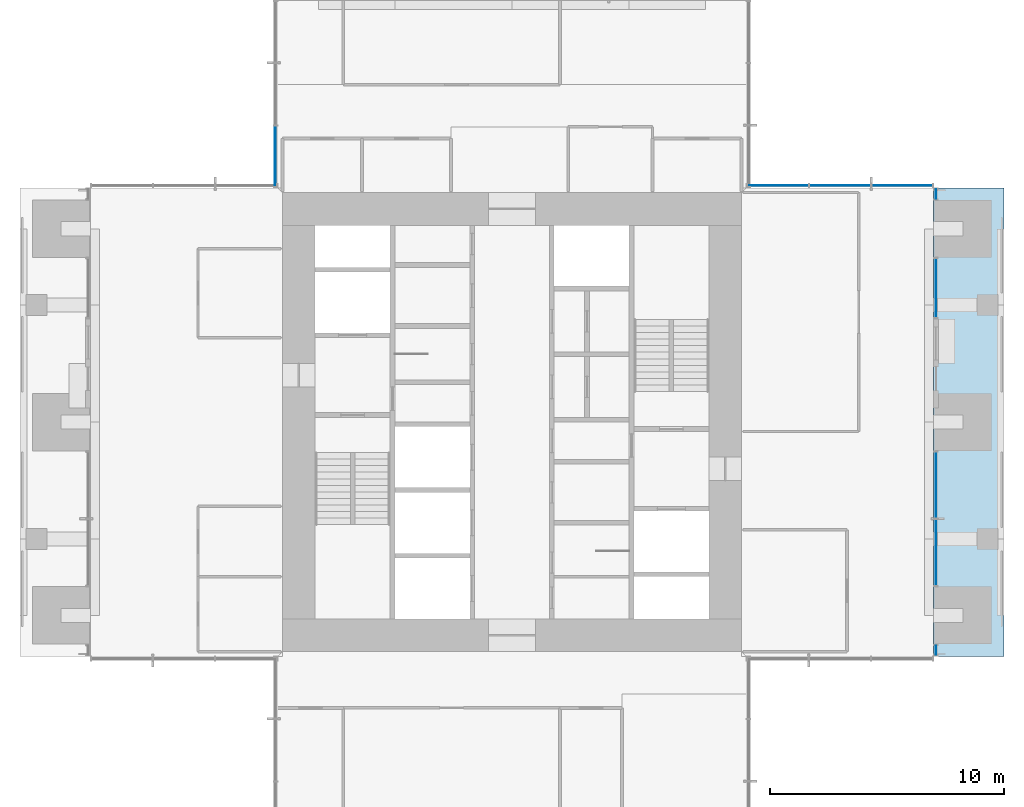
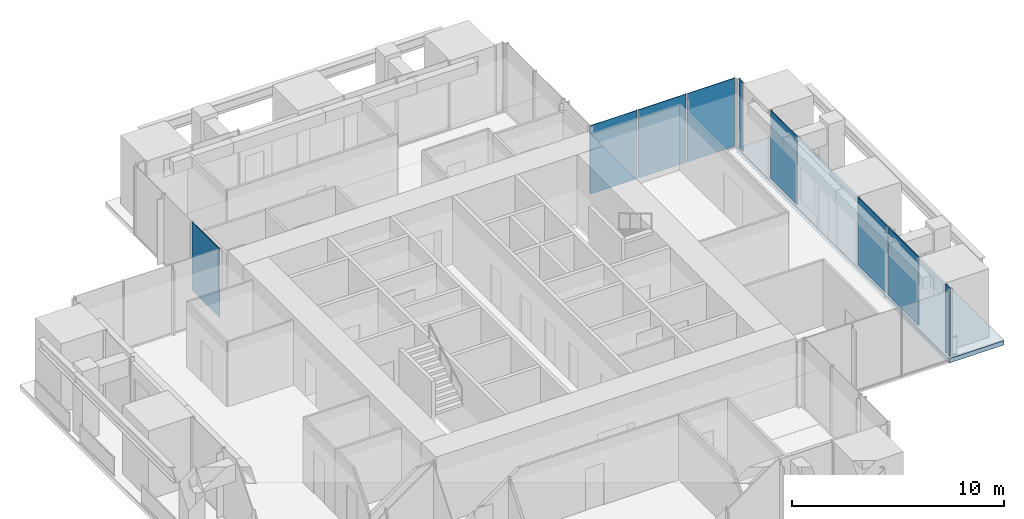
# One storey, part 10 of 17: 9 plates, 1 slab, 6 elements without a shape of their own.
"""IFC4 building model written with IfcOpenShell, lengths in metres."""

import ifcopenshell
import ifcopenshell.guid

model = None  # the IFC model being written
_history = None  # IfcOwnerHistory: only IFC2X3 demands one
_inside = {}  # id of a spatial element -> (the spatial element, [elements in it])
_under = {}  # id of a project, library or spatial element -> (it, [spatial elements below it])
_declared = {}  # id of a project -> (the project, [libraries it declares])
_typed = {}  # id of a type object -> (the type object, [elements of that type])
_made_of = {}  # id of a material, layer set ... -> (it, [elements and type objects made of it])


def new_model(schema):
    """Start an empty IFC model of exactly this schema.

    Asked for "IFC4X3", IfcOpenShell would pick the latest addendum, in which some entities
    have other attributes; the version numbers below select the first issue.
    IFC2X3 requires an IfcOwnerHistory on every rooted entity: one is made here for all.
    """
    global model, _history
    if schema == "IFC4X3":
        model = ifcopenshell.file(schema_version=(4, 3, 0, 0))
    else:
        model = ifcopenshell.file(schema=schema)
    _inside.clear()
    _under.clear()
    _declared.clear()
    _typed.clear()
    _made_of.clear()
    _history = None
    if model.schema == "IFC2X3":
        org = make("IfcOrganization", Name="unknown")
        user = make(
            "IfcPersonAndOrganization",
            ThePerson=make("IfcPerson", FamilyName="unknown"),
            TheOrganization=org,
        )
        app = make(
            "IfcApplication",
            ApplicationDeveloper=org,
            Version="unknown",
            ApplicationFullName="unknown",
            ApplicationIdentifier="unknown",
        )
        _history = make(
            "IfcOwnerHistory",
            OwningUser=user,
            OwningApplication=app,
            ChangeAction="ADDED",
            CreationDate=0,
        )
    return model


def make(cls, **values):
    """One entity of the class cls with the attributes given. An attribute that is None is left unset."""
    return model.create_entity(
        cls, **{name: value for name, value in values.items() if value is not None}
    )


def rooted(cls, **values):
    """An entity with a GlobalId (a new one), such as an element, a storey or a relation."""
    return make(cls, GlobalId=ifcopenshell.guid.new(), OwnerHistory=_history, **values)


def si_unit(unit_type, name, prefix=None):
    """IfcSIUnit, for example si_unit("LENGTHUNIT", "METRE", prefix="MILLI")."""
    return make("IfcSIUnit", UnitType=unit_type, Prefix=prefix, Name=name)


def assignment(units):
    """IfcUnitAssignment: the units of a project."""
    return None if units is None else make("IfcUnitAssignment", Units=units)


def point(xyz):
    """IfcCartesianPoint."""
    return None if xyz is None else make("IfcCartesianPoint", Coordinates=xyz)


def direction(xyz):
    """IfcDirection."""
    return None if xyz is None else make("IfcDirection", DirectionRatios=xyz)


def frame(location, z_axis=None, x_axis=None):
    """IfcAxis2Placement3D, a coordinate frame: its origin and axes. An axis left out is left unset."""
    return make(
        "IfcAxis2Placement3D",
        Location=point(location),
        Axis=direction(z_axis),
        RefDirection=direction(x_axis),
    )


def frame_2d(location, x_axis=None):
    """IfcAxis2Placement2D, a coordinate frame in the plane: its origin and x axis."""
    return make(
        "IfcAxis2Placement2D", Location=point(location), RefDirection=direction(x_axis)
    )


def origin():
    """The frame at (0, 0, 0) with its axes left unset."""
    return frame((0.0, 0.0, 0.0))


def origin_2d():
    """The frame at (0, 0) in the plane with its x axis left unset."""
    return frame_2d((0.0, 0.0))


def place(relative_to, where):
    """IfcLocalPlacement: puts the frame where relative to a parent placement (None: the world)."""
    return make(
        "IfcLocalPlacement", PlacementRelTo=relative_to, RelativePlacement=where
    )


def context(
    kind, dimensions, precision=None, world=None, true_north=None, identifier=None
):
    """IfcGeometricRepresentationContext, for example the 3D "Model" context."""
    return make(
        "IfcGeometricRepresentationContext",
        ContextIdentifier=identifier,
        ContextType=kind,
        CoordinateSpaceDimension=dimensions,
        Precision=precision,
        WorldCoordinateSystem=world,
        TrueNorth=true_north,
    )


def subcontext(parent, identifier, kind, view, scale=None):
    """IfcGeometricRepresentationSubContext, for example "Body" below "Model"."""
    return make(
        "IfcGeometricRepresentationSubContext",
        ContextIdentifier=identifier,
        ContextType=kind,
        ParentContext=parent,
        TargetScale=scale,
        TargetView=view,
    )


def project(units=None, contexts=None):
    """IfcProject with its units and contexts."""
    return rooted(
        "IfcProject",
        Name="project",
        RepresentationContexts=contexts,
        UnitsInContext=assignment(units),
    )


def spatial(cls, under=None, at=None, **own):
    """A site, building, storey or space (cls), placed at a placement, below another one or the project."""
    s = rooted(cls, ObjectPlacement=at, **own)
    if under is not None:
        _under.setdefault(under.id(), (under, []))[1].append(s)
    return s


def polyline(points):
    """IfcPolyline through the points."""
    return make("IfcPolyline", Points=[point(p) for p in points])


def profile(cls, at=None, kind="AREA", **sizes):
    """A parametric profile (cls). Its sizes go by their IFC names, for example OverallWidth=200.0."""
    return make(cls, ProfileType=kind, Position=at, **sizes)


def rectangle(**sizes):
    """IfcRectangleProfileDef."""
    return profile("IfcRectangleProfileDef", **sizes)


def outline(outer, holes=None, kind="AREA"):
    """IfcArbitraryClosedProfileDef: a profile drawn as a closed curve; with holes, ...WithVoids."""
    if holes is None:
        return make("IfcArbitraryClosedProfileDef", ProfileType=kind, OuterCurve=outer)
    return make(
        "IfcArbitraryProfileDefWithVoids",
        ProfileType=kind,
        OuterCurve=outer,
        InnerCurves=holes,
    )


def extrude(swept, where, along, depth):
    """IfcExtrudedAreaSolid: the profile swept, set in the frame where, extruded along a direction by depth."""
    return make(
        "IfcExtrudedAreaSolid",
        SweptArea=swept,
        Position=where,
        ExtrudedDirection=direction(along),
        Depth=depth,
    )


def shape(context_of_items, identifier, shape_type, items):
    """IfcShapeRepresentation: the items that make up one representation, for example the "Body"."""
    return make(
        "IfcShapeRepresentation",
        ContextOfItems=context_of_items,
        RepresentationIdentifier=identifier,
        RepresentationType=shape_type,
        Items=items,
    )


def material(Name=None, Category=None):
    """IfcMaterial."""
    return make("IfcMaterial", Name=Name, Category=Category)


def layer(
    of_material, thickness, ventilated=None, Name=None, Category=None, Priority=None
):
    """IfcMaterialLayer: one layer of a wall or slab, of a material (None: an air gap)."""
    return make(
        "IfcMaterialLayer",
        Material=of_material,
        LayerThickness=thickness,
        IsVentilated=ventilated,
        Name=Name,
        Category=Category,
        Priority=Priority,
    )


def layer_set(layers, Name=None):
    """IfcMaterialLayerSet."""
    return make("IfcMaterialLayerSet", MaterialLayers=layers, LayerSetName=Name)


def made_of(thing, what):
    """Note that an element or type object is made of a material, layer set ...; save() writes the relation."""
    if what is not None:
        _made_of.setdefault(what.id(), (what, []))[1].append(thing)
    return thing


def type_object(cls, material=None, **own):
    """A type object (cls), such as IfcWallType, which elements share."""
    return made_of(rooted(cls, **own), material)


def element(
    cls,
    number,
    at=None,
    inside=None,
    cuts=None,
    type_object=None,
    material=None,
    context=None,
    identifier="Body",
    shape_type=None,
    held_by="IfcProductDefinitionShape",
    body=None,
    shapes=None,
    **own,
):
    """One element of the class cls, such as IfcWall. Its Tag is "e" and its number.

    at: its placement. inside: the storey or other place that contains it. cuts: it is an
    opening in that element (IfcRelVoidsElement). A single representation is given by context,
    identifier, shape_type and body (its items); several are given by shapes. held_by: the class
    of the entity that holds the representations. save() writes the other relations.
    """
    e = rooted(cls, Tag="e%d" % number, ObjectPlacement=at, **own)
    if body is not None:
        shapes = [shape(context, identifier, shape_type, body)]
    if shapes is not None:
        e.Representation = make(held_by, Representations=shapes)
    if inside is not None:
        _inside.setdefault(inside.id(), (inside, []))[1].append(e)
    if cuts is not None:
        rooted(
            "IfcRelVoidsElement", RelatingBuildingElement=cuts, RelatedOpeningElement=e
        )
    if type_object is not None:
        _typed.setdefault(type_object.id(), (type_object, []))[1].append(e)
    return made_of(e, material)


def aggregate(whole, parts):
    """IfcRelAggregates: a whole, such as a stair, and the parts it consists of."""
    return rooted("IfcRelAggregates", RelatingObject=whole, RelatedObjects=parts)


def save(model, path):
    """Write the relations noted so far, then the file.

    IfcRelAggregates (storeys below a building ...), IfcRelContainedInSpatialStructure (elements
    in a storey), IfcRelDefinesByType, IfcRelAssociatesMaterial and IfcRelDeclares: one each for
    every whole, place, type object, material and project.
    """
    for whole, parts in _under.values():
        aggregate(whole, parts)
    for where, things in _inside.values():
        rooted(
            "IfcRelContainedInSpatialStructure",
            RelatedElements=things,
            RelatingStructure=where,
        )
    for kind, things in _typed.values():
        rooted("IfcRelDefinesByType", RelatedObjects=things, RelatingType=kind)
    for what, things in _made_of.values():
        rooted("IfcRelAssociatesMaterial", RelatedObjects=things, RelatingMaterial=what)
    for by, libraries in _declared.values():
        rooted("IfcRelDeclares", RelatingContext=by, RelatedDefinitions=libraries)
    model.write(path)


model = new_model("IFC4")

# Units and contexts
model_context = context("Model", 3, precision=1e-05, world=origin(), true_north=direction((0.0, 1.0)))
body_context = subcontext(model_context, "Body", "Model", "MODEL_VIEW")
ifc_project = project(units=[si_unit("LENGTHUNIT", "METRE"), si_unit("AREAUNIT", "SQUARE_METRE"), si_unit("VOLUMEUNIT", "CUBIC_METRE"), si_unit("PLANEANGLEUNIT", "RADIAN"), si_unit("MASSUNIT", "GRAM", prefix="KILO")], contexts=[model_context])

# Site, building, storey
site_placement = place(None, origin())
site = spatial("IfcSite", under=ifc_project, at=site_placement, CompositionType="ELEMENT")
building_placement = place(site_placement, origin())
building = spatial("IfcBuilding", under=site, at=building_placement, Name="Svetlomir Tower", CompositionType="ELEMENT")
storey_placement = place(building_placement, frame((0.0, 0.0, 222.5)))
storey = spatial("IfcBuildingStorey", under=building, at=storey_placement, Name="L53", CompositionType="ELEMENT", Elevation=222.5)

# Curtain wall, plate
ifc_material_1 = material(Name="Bronze anodised aluminium curtain wall", Category="aluminium")
curtain_wall_type = type_object("IfcCurtainWallType", Name="CURTAIN WALL CW1 TOWER OFFICE", PredefinedType="NOTDEFINED", material=ifc_material_1)
curtain_wall_1_placement = place(storey_placement, origin())
curtain_wall_1 = element("IfcCurtainWall", 1, at=curtain_wall_1_placement, inside=storey, type_object=curtain_wall_type, Name="Curtain wall CW1 L53", PredefinedType="NOTDEFINED")
ifc_material_2 = material(Name="Tinted double glazed unit", Category="glass")
ifc_layer_1 = layer(ifc_material_2, 0.031982421875)
ifc_layer_set_1 = layer_set([ifc_layer_1], Name="Tinted double glazed unit")
plate_type = type_object("IfcPlateType", Name="CW1 GLAZED PANEL 32", PredefinedType="CURTAIN_PANEL", material=ifc_layer_set_1)
plate_1_placement = place(storey_placement, frame((39.10009765625, 11.262451171875, 0.06494140625), z_axis=(0.0, 0.0, 1.0), x_axis=(0.0, 1.0, 0.0)))
plate_1 = element("IfcPlate", 2, at=plate_1_placement, type_object=plate_type, Name="CW1 panel 1.1", PredefinedType="CURTAIN_PANEL", context=body_context, shape_type="SweptSolid", body=[
    extrude(rectangle(XDim=0.39501953125, YDim=0.031982421875, at=origin_2d()), origin(), (0.0, 0.0, 1.0), 3.93505859375),
])
aggregate(curtain_wall_1, [plate_1])

# Curtain wall, plates
curtain_wall_2_placement = place(storey_placement, origin())
curtain_wall_2 = element("IfcCurtainWall", 3, at=curtain_wall_2_placement, inside=storey, type_object=curtain_wall_type, Name="Curtain wall CW1 L53", PredefinedType="NOTDEFINED")
plate_2_placement = place(storey_placement, frame((39.10009765625, 15.441162109375, 0.06494140625), z_axis=(0.0, 0.0, 1.0), x_axis=(0.0, 1.0, 0.0)))
plate_2 = element("IfcPlate", 4, at=plate_2_placement, type_object=plate_type, Name="CW1 panel 1.1", PredefinedType="CURTAIN_PANEL", context=body_context, shape_type="SweptSolid", body=[
    extrude(rectangle(XDim=2.802490234375, YDim=0.031982421875, at=origin_2d()), origin(), (0.0, 0.0, 1.0), 3.93505859375),
])
plate_3_placement = place(storey_placement, frame((39.10009765625, 18.308837890625, 0.06494140625), z_axis=(0.0, 0.0, 1.0), x_axis=(0.0, 1.0, 0.0)))
plate_3 = element("IfcPlate", 5, at=plate_3_placement, type_object=plate_type, Name="CW1 panel 2.1", PredefinedType="CURTAIN_PANEL", context=body_context, shape_type="SweptSolid", body=[
    extrude(rectangle(XDim=2.802490234375, YDim=0.031982421875, at=origin_2d()), origin(), (0.0, 0.0, 1.0), 3.93505859375),
])
aggregate(curtain_wall_2, [plate_2, plate_3])

# Curtain wall, plate
curtain_wall_3_placement = place(storey_placement, origin())
curtain_wall_3 = element("IfcCurtainWall", 6, at=curtain_wall_3_placement, inside=storey, type_object=curtain_wall_type, Name="Curtain wall CW1 L53", PredefinedType="NOTDEFINED")
plate_4_placement = place(storey_placement, frame((39.10009765625, 26.71240234375, 0.06494140625), z_axis=(0.0, 0.0, 1.0), x_axis=(0.0, 1.0, 0.0)))
plate_4 = element("IfcPlate", 7, at=plate_4_placement, type_object=plate_type, Name="CW1 panel 1.1", PredefinedType="CURTAIN_PANEL", context=body_context, shape_type="SweptSolid", body=[
    extrude(rectangle(XDim=2.4951171875, YDim=0.031982421875, at=origin_2d()), origin(), (0.0, 0.0, 1.0), 3.93505859375),
])
aggregate(curtain_wall_3, [plate_4])

curtain_wall_4_placement = place(storey_placement, origin())
curtain_wall_4 = element("IfcCurtainWall", 8, at=curtain_wall_4_placement, inside=storey, type_object=curtain_wall_type, Name="Curtain wall CW1 L53", PredefinedType="NOTDEFINED")
plate_5_placement = place(storey_placement, frame((39.10009765625, 30.737548828125, 0.06494140625), z_axis=(0.0, 0.0, 1.0), x_axis=(0.0, 1.0, 0.0)))
plate_5 = element("IfcPlate", 9, at=plate_5_placement, type_object=plate_type, Name="CW1 panel 1.1", PredefinedType="CURTAIN_PANEL", context=body_context, shape_type="SweptSolid", body=[
    extrude(rectangle(XDim=0.39501953125, YDim=0.031982421875, at=origin_2d()), origin(), (0.0, 0.0, 1.0), 3.93505859375),
])
aggregate(curtain_wall_4, [plate_5])

# Curtain wall, plates
curtain_wall_5_placement = place(storey_placement, origin())
curtain_wall_5 = element("IfcCurtainWall", 10, at=curtain_wall_5_placement, inside=storey, type_object=curtain_wall_type, Name="Curtain wall CW1 L53", PredefinedType="NOTDEFINED")
plate_6_placement = place(storey_placement, frame((37.650390625, 31.10009765625, 0.06494140625), z_axis=(0.0, 0.0, 1.0), x_axis=(-1.0, 0.0, 0.0)))
plate_6 = element("IfcPlate", 11, at=plate_6_placement, type_object=plate_type, Name="CW1 panel 1.1", PredefinedType="CURTAIN_PANEL", context=body_context, shape_type="SweptSolid", body=[
    extrude(rectangle(XDim=2.569091796875, YDim=0.031982421875, at=origin_2d()), origin(), (0.0, 0.0, 1.0), 3.93505859375),
])
plate_7_placement = place(storey_placement, frame((35.0, 31.10009765625, 0.06494140625), z_axis=(0.0, 0.0, 1.0), x_axis=(-1.0, 0.0, 0.0)))
plate_7 = element("IfcPlate", 12, at=plate_7_placement, type_object=plate_type, Name="CW1 panel 2.1", PredefinedType="CURTAIN_PANEL", context=body_context, shape_type="SweptSolid", body=[
    extrude(rectangle(XDim=2.6015625, YDim=0.031982421875, at=origin_2d()), origin(), (0.0, 0.0, 1.0), 3.93505859375),
])
plate_8_placement = place(storey_placement, frame((32.349609375, 31.10009765625, 0.06494140625), z_axis=(0.0, 0.0, 1.0), x_axis=(-1.0, 0.0, 0.0)))
plate_8 = element("IfcPlate", 13, at=plate_8_placement, type_object=plate_type, Name="CW1 panel 3.1", PredefinedType="CURTAIN_PANEL", context=body_context, shape_type="SweptSolid", body=[
    extrude(rectangle(XDim=2.569091796875, YDim=0.031982421875, at=origin_2d()), origin(), (0.0, 0.0, 1.0), 3.93505859375),
])
aggregate(curtain_wall_5, [plate_6, plate_7, plate_8])

# Curtain wall, plate
curtain_wall_6_placement = place(storey_placement, origin())
curtain_wall_6 = element("IfcCurtainWall", 14, at=curtain_wall_6_placement, inside=storey, type_object=curtain_wall_type, Name="Curtain wall CW1 L53", PredefinedType="NOTDEFINED")
plate_9_placement = place(storey_placement, frame((10.89990234375, 32.349609375, 0.06494140625), z_axis=(0.0, 0.0, 1.0), x_axis=(0.0, -1.0, 0.0)))
plate_9 = element("IfcPlate", 15, at=plate_9_placement, type_object=plate_type, Name="CW1 panel 3.1", PredefinedType="CURTAIN_PANEL", context=body_context, shape_type="SweptSolid", body=[
    extrude(rectangle(XDim=2.569091796875, YDim=0.031982421875, at=origin_2d()), origin(), (0.0, 0.0, 1.0), 3.93505859375),
])
aggregate(curtain_wall_6, [plate_9])

# Slab
ifc_material_3 = material(Name="Concrete C60/75", Category="concrete")
ifc_layer_2 = layer(ifc_material_3, 0.25)
ifc_layer_set_2 = layer_set([ifc_layer_2], Name="Concrete C60/75")
slab_type = type_object("IfcSlabType", Name="PLANTED LOGGIA SLAB 250", PredefinedType="FLOOR", material=ifc_layer_set_2)
slab_placement = place(storey_placement, frame((0.0, 0.0, -0.25)))
element("IfcSlab", 16, at=slab_placement, inside=storey, type_object=slab_type, Name="L53 E planted loggia", PredefinedType="FLOOR", context=body_context, shape_type="SweptSolid", body=[
    extrude(outline(polyline([(39.0, 11.0), (42.0, 11.0), (42.0, 31.0), (39.0, 31.0), (39.0, 11.0)])), origin(), (0.0, 0.0, 1.0), 0.25),
])

save(model, "model.ifc")
